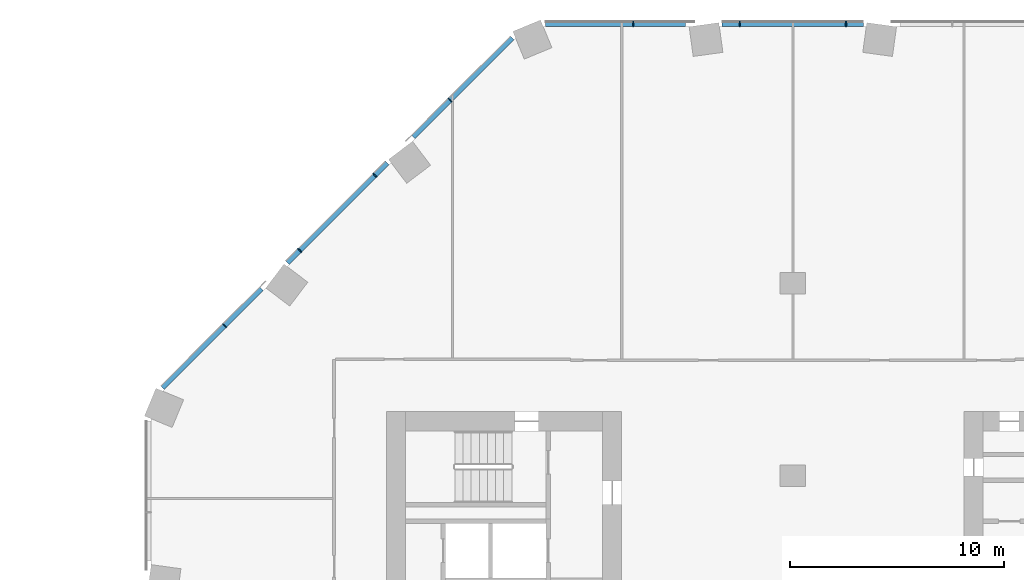
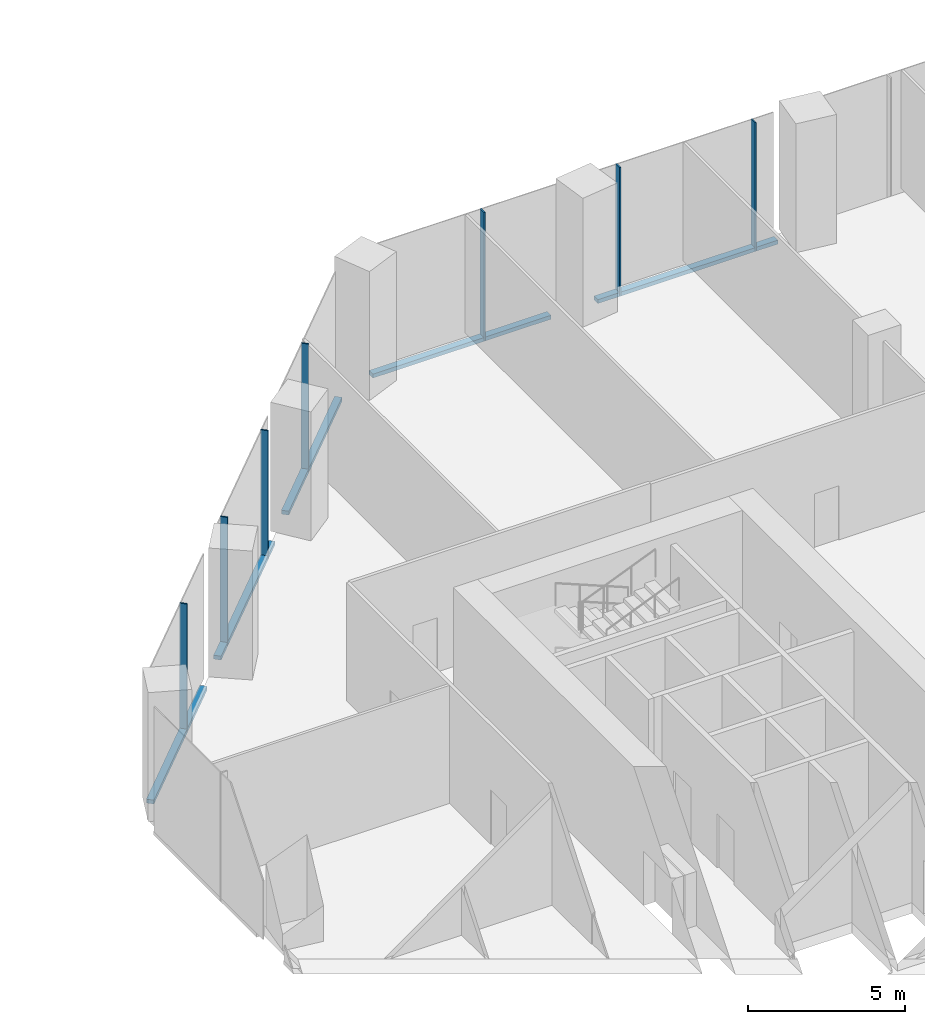
# One storey, part 10 of 29: 12 members, 2 elements without a shape of their own.
"""IFC4 building model written with IfcOpenShell, lengths in metres."""

from ifc_helpers import new_model, si_unit, direction, frame, origin, origin_2d, place, context, subcontext, project, spatial, rectangle, extrude, material, material_profile, profile_set, type_object, element, aggregate, save


model = new_model("IFC4")

# Units and contexts
model_context = context("Model", 3, precision=1e-05, world=origin(), true_north=direction((0.0, 1.0)))
body_context = subcontext(model_context, "Body", "Model", "MODEL_VIEW")
ifc_project = project(units=[si_unit("LENGTHUNIT", "METRE"), si_unit("AREAUNIT", "SQUARE_METRE"), si_unit("VOLUMEUNIT", "CUBIC_METRE"), si_unit("PLANEANGLEUNIT", "RADIAN"), si_unit("MASSUNIT", "GRAM", prefix="KILO")], contexts=[model_context])

# Site, building, storey
site_placement = place(None, origin())
site = spatial("IfcSite", under=ifc_project, at=site_placement, CompositionType="ELEMENT")
building_placement = place(site_placement, origin())
building = spatial("IfcBuilding", under=site, at=building_placement, Name="Orlundy Tower", CompositionType="ELEMENT")
storey_placement = place(building_placement, frame((0.0, 0.0, 15.5)))
storey = spatial("IfcBuildingStorey", under=building, at=storey_placement, Name="L02", CompositionType="ELEMENT", Elevation=15.5)

# Curtain wall, members
ifc_material_1 = material(Name="Aluminium bronze anodised", Category="aluminium")
curtain_wall_type = type_object("IfcCurtainWallType", Name="CW2 wall", PredefinedType="NOTDEFINED", material=ifc_material_1)
curtain_wall_1_placement = place(storey_placement, origin())
curtain_wall_1 = element("IfcCurtainWall", 1, at=curtain_wall_1_placement, inside=storey, type_object=curtain_wall_type, Name="CW2 run 014", PredefinedType="NOTDEFINED")
ifc_material_2 = material(Name="Aluminium bronze anodised", Category="aluminium")
ifc_material_profile_1 = material_profile(ifc_material_2, rectangle(XDim=0.25, YDim=0.050048828125, at=origin_2d()), Name="CW2 mullion 50x250")
ifc_profile_set_1 = profile_set([ifc_material_profile_1], Name="Aluminium bronze anodised")
member_type_1 = type_object("IfcMemberType", Name="CW2 mullion 50x250", PredefinedType="MULLION", material=ifc_profile_set_1)
member_1_placement = place(storey_placement, frame((-26.573486328125, 16.029296875, -0.39990234375), z_axis=(0.0, 0.0, 1.0), x_axis=(-0.707106781187, 0.707106781187, 0.0)))
member_1 = element("IfcMember", 2, at=member_1_placement, type_object=member_type_1, Name="CW2 mullion 35", PredefinedType="MULLION", context=body_context, shape_type="SweptSolid", body=[
    extrude(rectangle(XDim=0.25, YDim=0.050048828125, at=origin_2d()), origin(), (0.0, 0.0, 1.0), 5.0),
])
member_2_placement = place(storey_placement, frame((-23.058837890625, 19.5439453125, -0.39990234375), z_axis=(0.0, 0.0, 1.0), x_axis=(-0.707106781187, 0.707106781187, 0.0)))
member_2 = element("IfcMember", 3, at=member_2_placement, type_object=member_type_1, Name="CW2 mullion 36", PredefinedType="MULLION", context=body_context, shape_type="SweptSolid", body=[
    extrude(rectangle(XDim=0.25, YDim=0.050048828125, at=origin_2d()), origin(), (0.0, 0.0, 1.0), 5.0),
])
member_3_placement = place(storey_placement, frame((-19.5439453125, 23.058837890625, -0.39990234375), z_axis=(0.0, 0.0, 1.0), x_axis=(-0.707106781187, 0.707106781187, 0.0)))
member_3 = element("IfcMember", 4, at=member_3_placement, type_object=member_type_1, Name="CW2 mullion 37", PredefinedType="MULLION", context=body_context, shape_type="SweptSolid", body=[
    extrude(rectangle(XDim=0.25, YDim=0.050048828125, at=origin_2d()), origin(), (0.0, 0.0, 1.0), 5.0),
])
member_4_placement = place(storey_placement, frame((-16.029296875, 26.573486328125, -0.39990234375), z_axis=(0.0, 0.0, 1.0), x_axis=(-0.707106781187, 0.707106781187, 0.0)))
member_4 = element("IfcMember", 5, at=member_4_placement, type_object=member_type_1, Name="CW2 mullion 38", PredefinedType="MULLION", context=body_context, shape_type="SweptSolid", body=[
    extrude(rectangle(XDim=0.25, YDim=0.050048828125, at=origin_2d()), origin(), (0.0, 0.0, 1.0), 5.0),
])

curtain_wall_2_placement = place(storey_placement, origin())
curtain_wall_2 = element("IfcCurtainWall", 6, at=curtain_wall_2_placement, inside=storey, type_object=curtain_wall_type, Name="CW2 run 015", PredefinedType="NOTDEFINED")
member_5_placement = place(storey_placement, frame((-7.45556640625, 30.125, -0.39990234375), z_axis=(0.0, 0.0, 1.0), x_axis=(0.0, 1.0, 0.0)))
member_5 = element("IfcMember", 7, at=member_5_placement, type_object=member_type_1, Name="CW2 mullion 40", PredefinedType="MULLION", context=body_context, shape_type="SweptSolid", body=[
    extrude(rectangle(XDim=0.25, YDim=0.050048828125, at=origin_2d()), origin(), (0.0, 0.0, 1.0), 5.0),
])
member_6_placement = place(storey_placement, frame((-2.485107421875, 30.125, -0.39990234375), z_axis=(0.0, 0.0, 1.0), x_axis=(0.0, 1.0, 0.0)))
member_6 = element("IfcMember", 8, at=member_6_placement, type_object=member_type_1, Name="CW2 mullion 41", PredefinedType="MULLION", context=body_context, shape_type="SweptSolid", body=[
    extrude(rectangle(XDim=0.25, YDim=0.050048828125, at=origin_2d()), origin(), (0.0, 0.0, 1.0), 5.0),
])
member_7_placement = place(storey_placement, frame((2.485107421875, 30.125, -0.39990234375), z_axis=(0.0, 0.0, 1.0), x_axis=(0.0, 1.0, 0.0)))
member_7 = element("IfcMember", 9, at=member_7_placement, type_object=member_type_1, Name="CW2 mullion 42", PredefinedType="MULLION", context=body_context, shape_type="SweptSolid", body=[
    extrude(rectangle(XDim=0.25, YDim=0.050048828125, at=origin_2d()), origin(), (0.0, 0.0, 1.0), 5.0),
])

# Member
ifc_material_3 = material(Name="Aluminium bronze anodised", Category="aluminium")
ifc_material_profile_2 = material_profile(ifc_material_3, rectangle(XDim=0.25, YDim=0.14990234375, at=origin_2d()), Name="CW2 transom 250x150")
ifc_profile_set_2 = profile_set([ifc_material_profile_2], Name="Aluminium bronze anodised")
member_type_2 = type_object("IfcMemberType", Name="CW2 transom 250x150", PredefinedType="USERDEFINED", material=ifc_profile_set_2)
member_8_placement = place(storey_placement, frame((-29.47412109375, 13.128662109375, -0.324951171875), z_axis=(0.707106781187, 0.707106781187, 0.0), x_axis=(-0.707106781187, 0.707106781187, 0.0)))
member_8 = element("IfcMember", 10, at=member_8_placement, type_object=member_type_2, Name="CW2 transom", ObjectType="TRANSOM", PredefinedType="USERDEFINED", context=body_context, shape_type="SweptSolid", body=[
    extrude(rectangle(XDim=0.25, YDim=0.14990234375, at=origin_2d()), origin(), (0.0, 0.0, 1.0), 6.541015625),
])

member_9_placement = place(storey_placement, frame((-23.635498046875, 18.96728515625, -0.324951171875), z_axis=(0.707106781187, 0.707106781187, 0.0), x_axis=(-0.707106781187, 0.707106781187, 0.0)))
member_9 = element("IfcMember", 11, at=member_9_placement, type_object=member_type_2, Name="CW2 transom", ObjectType="TRANSOM", PredefinedType="USERDEFINED", context=body_context, shape_type="SweptSolid", body=[
    extrude(rectangle(XDim=0.25, YDim=0.14990234375, at=origin_2d()), origin(), (0.0, 0.0, 1.0), 6.601806640625),
])

member_10_placement = place(storey_placement, frame((-17.75390625, 24.848876953125, -0.324951171875), z_axis=(0.707106781187, 0.707106781187, 0.0), x_axis=(-0.707106781187, 0.707106781187, 0.0)))
member_10 = element("IfcMember", 12, at=member_10_placement, type_object=member_type_2, Name="CW2 transom", ObjectType="TRANSOM", PredefinedType="USERDEFINED", context=body_context, shape_type="SweptSolid", body=[
    extrude(rectangle(XDim=0.25, YDim=0.14990234375, at=origin_2d()), origin(), (0.0, 0.0, 1.0), 6.541015625),
])

aggregate(curtain_wall_1, [member_1, member_2, member_3, member_4, member_8, member_9, member_10])

member_11_placement = place(storey_placement, frame((-11.558349609375, 30.125, -0.324951171875), z_axis=(1.0, 0.0, 0.0), x_axis=(0.0, 1.0, 0.0)))
member_11 = element("IfcMember", 13, at=member_11_placement, type_object=member_type_2, Name="CW2 transom", ObjectType="TRANSOM", PredefinedType="USERDEFINED", context=body_context, shape_type="SweptSolid", body=[
    extrude(rectangle(XDim=0.25, YDim=0.14990234375, at=origin_2d()), origin(), (0.0, 0.0, 1.0), 6.541259765625),
])

member_12_placement = place(storey_placement, frame((-3.301025390625, 30.125, -0.324951171875), z_axis=(1.0, 0.0, 0.0), x_axis=(0.0, 1.0, 0.0)))
member_12 = element("IfcMember", 14, at=member_12_placement, type_object=member_type_2, Name="CW2 transom", ObjectType="TRANSOM", PredefinedType="USERDEFINED", context=body_context, shape_type="SweptSolid", body=[
    extrude(rectangle(XDim=0.25, YDim=0.14990234375, at=origin_2d()), origin(), (0.0, 0.0, 1.0), 6.60205078125),
])

aggregate(curtain_wall_2, [member_5, member_6, member_7, member_11, member_12])

save(model, "model.ifc")
